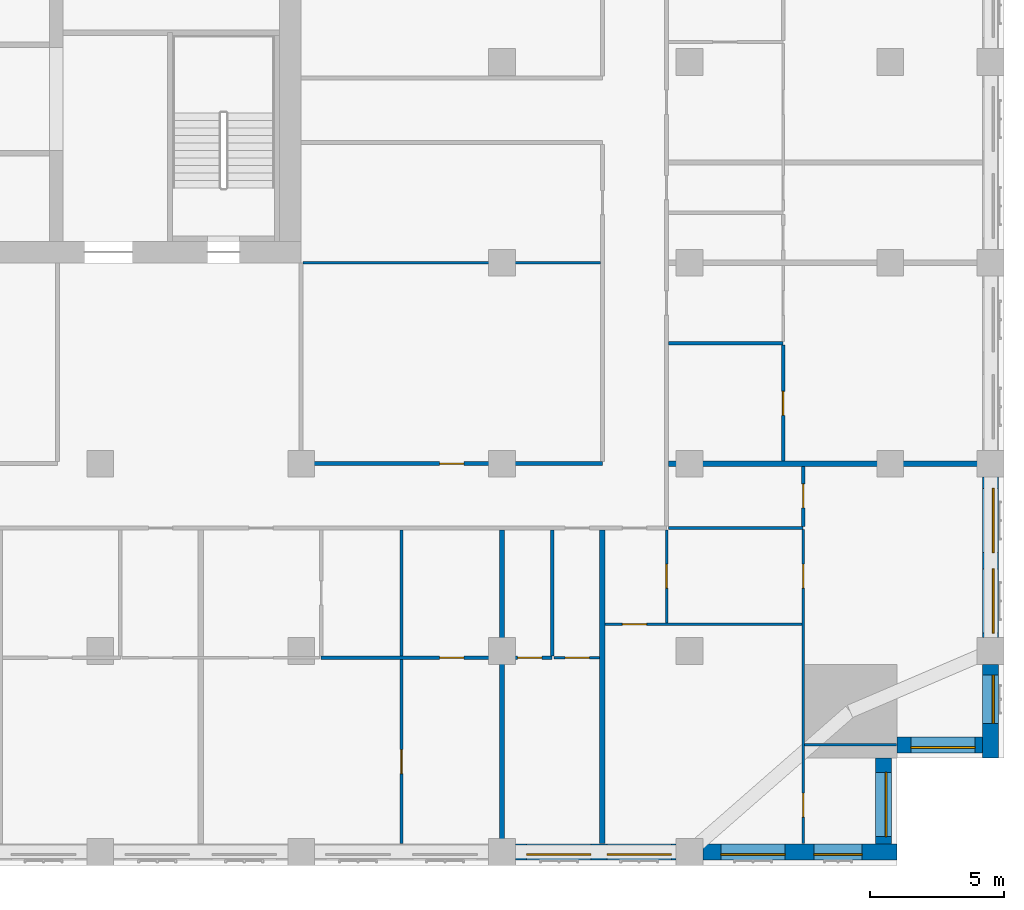
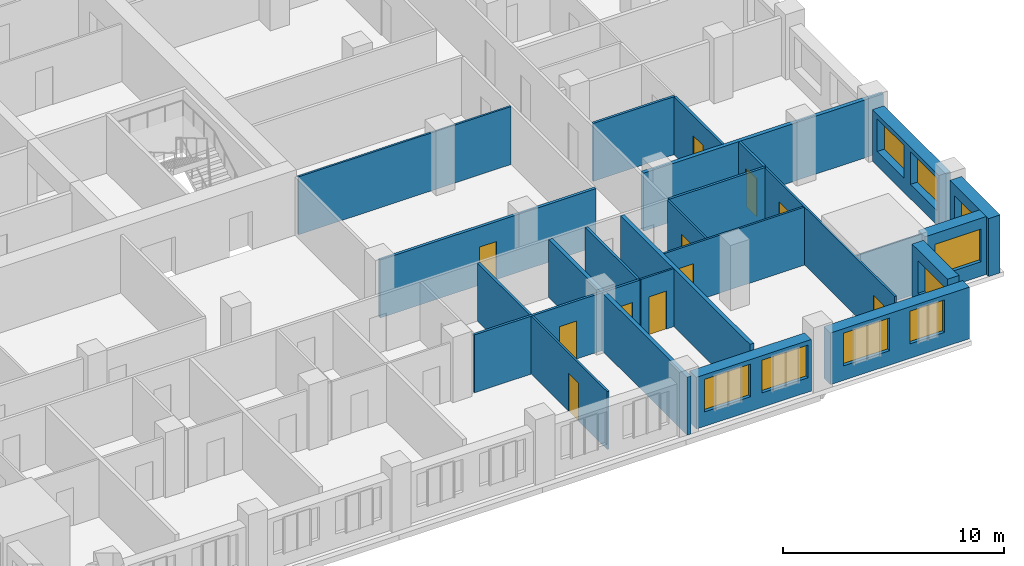
# One storey, part 6 of 14: 24 walls, 11 doors, 9 windows, 20 openings.
"""IFC4 building model written with IfcOpenShell, lengths in metres."""

from ifc_helpers import new_model, si_unit, direction, frame, frame_2d, origin, place, context, subcontext, project, spatial, rectangle, extrude, material, layer, layer_set, type_object, element, fill, save


model = new_model("IFC4")

# Units and contexts
model_context = context("Model", 3, precision=1e-05, world=origin(), true_north=direction((0.0, 1.0)))
body_context = subcontext(model_context, "Body", "Model", "MODEL_VIEW")
ifc_project = project(units=[si_unit("LENGTHUNIT", "METRE"), si_unit("AREAUNIT", "SQUARE_METRE"), si_unit("VOLUMEUNIT", "CUBIC_METRE"), si_unit("PLANEANGLEUNIT", "RADIAN"), si_unit("MASSUNIT", "GRAM", prefix="KILO")], contexts=[model_context])

# Site, building, storey
site_placement = place(None, origin())
site = spatial("IfcSite", under=ifc_project, at=site_placement, CompositionType="ELEMENT")
building_placement = place(site_placement, origin())
building = spatial("IfcBuilding", under=site, at=building_placement, Name="Tamorin Gate", CompositionType="ELEMENT")
storey_placement = place(building_placement, frame((0.0, 0.0, 162.60009765625)))
storey = spatial("IfcBuildingStorey", under=building, at=storey_placement, Name="L40", CompositionType="ELEMENT", Elevation=162.60009765625)

# Wall, openings, windows
ifc_material_1 = material(Name="Precast concrete C40/50", Category="concrete")
ifc_layer_1 = layer(ifc_material_1, 0.60009765625)
ifc_layer_set_1 = layer_set([ifc_layer_1], Name="Precast concrete C40/50")
wall_type_1 = type_object("IfcWallType", Name="Board-marked concrete facade panel 600", PredefinedType="SOLIDWALL", material=ifc_layer_set_1)
wall_1_placement = place(storey_placement, frame((68.0, 38.0, 0.0), z_axis=(0.0, 0.0, 1.0), x_axis=(1.0, 0.0, 0.0)))
wall_1 = element("IfcWall", 1, at=wall_1_placement, inside=storey, type_object=wall_type_1, Name="Facade panel", PredefinedType="SOLIDWALL", context=body_context, shape_type="SweptSolid", body=[
    extrude(rectangle(XDim=6.0, YDim=0.60009765625, at=frame_2d((3.0, 0.0))), origin(), (0.0, 0.0, 1.0), 2.849853515625),
])
opening_1_placement = place(wall_1_placement, frame((0.425048828125, 0.0, 0.800048828125)))
opening_1 = element("IfcOpeningElement", 2, at=opening_1_placement, cuts=wall_1, Name="Opening WN1", PredefinedType="OPENING", context=body_context, shape_type="SweptSolid", body=[
    extrude(rectangle(XDim=2.39990234375, YDim=1.800048828125, at=frame_2d((1.199951171875, 0.89990234375))), frame((0.0, 0.31005859375, 0.0), z_axis=(0.0, -1.0, 0.0), x_axis=(1.0, 0.0, 0.0)), (0.0, 0.0, 1.0), 0.6201171875),
])
opening_2_placement = place(wall_1_placement, frame((3.425048828125, 0.0, 0.800048828125)))
opening_2 = element("IfcOpeningElement", 3, at=opening_2_placement, cuts=wall_1, Name="Opening WN1", PredefinedType="OPENING", context=body_context, shape_type="SweptSolid", body=[
    extrude(rectangle(XDim=2.39990234375, YDim=1.800048828125, at=frame_2d((1.199951171875, 0.89990234375))), frame((0.0, 0.31005859375, 0.0), z_axis=(0.0, -1.0, 0.0), x_axis=(1.0, 0.0, 0.0)), (0.0, 0.0, 1.0), 0.6201171875),
])
ifc_material_2 = material(Name="Clear glass in aluminium frame", Category="aluminium")
window_type_1 = type_object("IfcWindowType", Name="Deep-set window 2400x1800", PartitioningType="SINGLE_PANEL", PredefinedType="WINDOW", material=ifc_material_2)
window_1_placement = place(opening_1_placement, origin())
window_1 = element("IfcWindow", 4, at=window_1_placement, inside=storey, type_object=window_type_1, Name="Deep-set window", OverallHeight=1.800048828125, OverallWidth=2.39990234375, PartitioningType="SINGLE_PANEL", PredefinedType="WINDOW", context=body_context, shape_type="SweptSolid", body=[
    extrude(rectangle(XDim=2.39990234375, YDim=1.800048828125, at=frame_2d((1.199951171875, 0.89990234375))), frame((0.0, -0.070068359375, 0.0), z_axis=(0.0, -1.0, 0.0), x_axis=(1.0, 0.0, 0.0)), (0.0, 0.0, 1.0), 0.06005859375),
])
fill(opening_1, window_1)
window_2_placement = place(opening_2_placement, origin())
window_2 = element("IfcWindow", 5, at=window_2_placement, inside=storey, type_object=window_type_1, Name="Deep-set window", OverallHeight=1.800048828125, OverallWidth=2.39990234375, PartitioningType="SINGLE_PANEL", PredefinedType="WINDOW", context=body_context, shape_type="SweptSolid", body=[
    extrude(rectangle(XDim=2.39990234375, YDim=1.800048828125, at=frame_2d((1.199951171875, 0.89990234375))), frame((0.0, -0.070068359375, 0.0), z_axis=(0.0, -1.0, 0.0), x_axis=(1.0, 0.0, 0.0)), (0.0, 0.0, 1.0), 0.06005859375),
])
fill(opening_2, window_2)

wall_2_placement = place(storey_placement, frame((75.0, 38.0, 0.0), z_axis=(0.0, 0.0, 1.0), x_axis=(1.0, 0.0, 0.0)))
wall_2 = element("IfcWall", 6, at=wall_2_placement, inside=storey, type_object=wall_type_1, Name="Facade panel", PredefinedType="SOLIDWALL", context=body_context, shape_type="SweptSolid", body=[
    extrude(rectangle(XDim=7.25, YDim=0.60009765625, at=frame_2d((3.625, 0.0))), origin(), (0.0, 0.0, 1.0), 2.849853515625),
])
opening_3_placement = place(wall_2_placement, frame((0.675048828125, 0.0, 0.800048828125)))
opening_3 = element("IfcOpeningElement", 7, at=opening_3_placement, cuts=wall_2, Name="Opening WN1", PredefinedType="OPENING", context=body_context, shape_type="SweptSolid", body=[
    extrude(rectangle(XDim=2.39990234375, YDim=1.800048828125, at=frame_2d((1.199951171875, 0.89990234375))), frame((0.0, 0.31005859375, 0.0), z_axis=(0.0, -1.0, 0.0), x_axis=(1.0, 0.0, 0.0)), (0.0, 0.0, 1.0), 0.6201171875),
])
opening_4_placement = place(wall_2_placement, frame((4.14990234375, 0.0, 0.800048828125)))
opening_4 = element("IfcOpeningElement", 8, at=opening_4_placement, cuts=wall_2, Name="Opening WN2", PredefinedType="OPENING", context=body_context, shape_type="SweptSolid", body=[
    extrude(rectangle(XDim=1.800048828125, YDim=1.800048828125, at=frame_2d((0.89990234375, 0.89990234375))), frame((0.0, 0.31005859375, 0.0), z_axis=(0.0, -1.0, 0.0), x_axis=(1.0, 0.0, 0.0)), (0.0, 0.0, 1.0), 0.6201171875),
])
window_type_2 = type_object("IfcWindowType", Name="Deep-set window 1800x1800", PartitioningType="SINGLE_PANEL", PredefinedType="WINDOW", material=ifc_material_2)
window_3_placement = place(opening_4_placement, origin())
window_3 = element("IfcWindow", 9, at=window_3_placement, inside=storey, type_object=window_type_2, Name="Deep-set window", OverallHeight=1.800048828125, OverallWidth=1.800048828125, PartitioningType="SINGLE_PANEL", PredefinedType="WINDOW", context=body_context, shape_type="SweptSolid", body=[
    extrude(rectangle(XDim=1.800048828125, YDim=1.800048828125, at=frame_2d((0.89990234375, 0.89990234375))), frame((0.0, -0.070068359375, 0.0), z_axis=(0.0, -1.0, 0.0), x_axis=(1.0, 0.0, 0.0)), (0.0, 0.0, 1.0), 0.06005859375),
])
fill(opening_4, window_3)
window_4_placement = place(opening_3_placement, origin())
window_4 = element("IfcWindow", 10, at=window_4_placement, inside=storey, type_object=window_type_1, Name="Deep-set window", OverallHeight=1.800048828125, OverallWidth=2.39990234375, PartitioningType="SINGLE_PANEL", PredefinedType="WINDOW", context=body_context, shape_type="SweptSolid", body=[
    extrude(rectangle(XDim=2.39990234375, YDim=1.800048828125, at=frame_2d((1.199951171875, 0.89990234375))), frame((0.0, -0.070068359375, 0.0), z_axis=(0.0, -1.0, 0.0), x_axis=(1.0, 0.0, 0.0)), (0.0, 0.0, 1.0), 0.06005859375),
])
fill(opening_3, window_4)

# Wall, opening, window
wall_3_placement = place(storey_placement, frame((81.75, 38.300048828125, 0.0), z_axis=(0.0, 0.0, 1.0), x_axis=(0.0, 1.0, 0.0)))
wall_3 = element("IfcWall", 11, at=wall_3_placement, inside=storey, type_object=wall_type_1, Name="Facade panel", PredefinedType="SOLIDWALL", context=body_context, shape_type="SweptSolid", body=[
    extrude(rectangle(XDim=3.199951171875, YDim=0.60009765625, at=frame_2d((1.60009765625, 0.0))), origin(), (0.0, 0.0, 1.0), 3.199951171875),
])
opening_5_placement = place(wall_3_placement, frame((0.27490234375, 0.0, 0.800048828125)))
opening_5 = element("IfcOpeningElement", 12, at=opening_5_placement, cuts=wall_3, Name="Opening WN1", PredefinedType="OPENING", context=body_context, shape_type="SweptSolid", body=[
    extrude(rectangle(XDim=2.39990234375, YDim=1.800048828125, at=frame_2d((1.199951171875, 0.89990234375))), frame((0.0, 0.31005859375, 0.0), z_axis=(0.0, -1.0, 0.0), x_axis=(1.0, 0.0, 0.0)), (0.0, 0.0, 1.0), 0.6201171875),
])
window_5_placement = place(opening_5_placement, origin())
window_5 = element("IfcWindow", 13, at=window_5_placement, inside=storey, type_object=window_type_1, Name="Deep-set window", OverallHeight=1.800048828125, OverallWidth=2.39990234375, PartitioningType="SINGLE_PANEL", PredefinedType="WINDOW", context=body_context, shape_type="SweptSolid", body=[
    extrude(rectangle(XDim=2.39990234375, YDim=1.800048828125, at=frame_2d((1.199951171875, 0.89990234375))), frame((0.0, -0.070068359375, 0.0), z_axis=(0.0, -1.0, 0.0), x_axis=(1.0, 0.0, 0.0)), (0.0, 0.0, 1.0), 0.06005859375),
])
fill(opening_5, window_5)

wall_4_placement = place(storey_placement, frame((82.25, 42.0, 0.0), z_axis=(0.0, 0.0, 1.0), x_axis=(1.0, 0.0, 0.0)))
wall_4 = element("IfcWall", 14, at=wall_4_placement, inside=storey, type_object=wall_type_1, Name="Facade panel", PredefinedType="SOLIDWALL", context=body_context, shape_type="SweptSolid", body=[
    extrude(rectangle(XDim=3.199951171875, YDim=0.60009765625, at=frame_2d((1.60009765625, 0.0))), origin(), (0.0, 0.0, 1.0), 3.199951171875),
])
opening_6_placement = place(wall_4_placement, frame((0.52490234375, 0.0, 0.800048828125)))
opening_6 = element("IfcOpeningElement", 15, at=opening_6_placement, cuts=wall_4, Name="Opening WN1", PredefinedType="OPENING", context=body_context, shape_type="SweptSolid", body=[
    extrude(rectangle(XDim=2.39990234375, YDim=1.800048828125, at=frame_2d((1.199951171875, 0.89990234375))), frame((0.0, 0.31005859375, 0.0), z_axis=(0.0, -1.0, 0.0), x_axis=(1.0, 0.0, 0.0)), (0.0, 0.0, 1.0), 0.6201171875),
])
window_6_placement = place(opening_6_placement, origin())
window_6 = element("IfcWindow", 16, at=window_6_placement, inside=storey, type_object=window_type_1, Name="Deep-set window", OverallHeight=1.800048828125, OverallWidth=2.39990234375, PartitioningType="SINGLE_PANEL", PredefinedType="WINDOW", context=body_context, shape_type="SweptSolid", body=[
    extrude(rectangle(XDim=2.39990234375, YDim=1.800048828125, at=frame_2d((1.199951171875, 0.89990234375))), frame((0.0, -0.070068359375, 0.0), z_axis=(0.0, -1.0, 0.0), x_axis=(1.0, 0.0, 0.0)), (0.0, 0.0, 1.0), 0.06005859375),
])
fill(opening_6, window_6)

wall_5_placement = place(storey_placement, frame((85.75, 41.5, 0.0), z_axis=(0.0, 0.0, 1.0), x_axis=(0.0, 1.0, 0.0)))
wall_5 = element("IfcWall", 17, at=wall_5_placement, inside=storey, type_object=wall_type_1, Name="Facade panel", PredefinedType="SOLIDWALL", context=body_context, shape_type="SweptSolid", body=[
    extrude(rectangle(XDim=3.5, YDim=0.60009765625, at=frame_2d((1.75, 0.0))), origin(), (0.0, 0.0, 1.0), 3.199951171875),
])
opening_7_placement = place(wall_5_placement, frame((1.300048828125, 0.0, 0.800048828125)))
opening_7 = element("IfcOpeningElement", 18, at=opening_7_placement, cuts=wall_5, Name="Opening WN2", PredefinedType="OPENING", context=body_context, shape_type="SweptSolid", body=[
    extrude(rectangle(XDim=1.800048828125, YDim=1.800048828125, at=frame_2d((0.89990234375, 0.89990234375))), frame((0.0, 0.31005859375, 0.0), z_axis=(0.0, -1.0, 0.0), x_axis=(1.0, 0.0, 0.0)), (0.0, 0.0, 1.0), 0.6201171875),
])
window_7_placement = place(opening_7_placement, origin())
window_7 = element("IfcWindow", 19, at=window_7_placement, inside=storey, type_object=window_type_2, Name="Deep-set window", OverallHeight=1.800048828125, OverallWidth=1.800048828125, PartitioningType="SINGLE_PANEL", PredefinedType="WINDOW", context=body_context, shape_type="SweptSolid", body=[
    extrude(rectangle(XDim=1.800048828125, YDim=1.800048828125, at=frame_2d((0.89990234375, 0.89990234375))), frame((0.0, -0.070068359375, 0.0), z_axis=(0.0, -1.0, 0.0), x_axis=(1.0, 0.0, 0.0)), (0.0, 0.0, 1.0), 0.06005859375),
])
fill(opening_7, window_7)

# Wall, openings, windows
wall_6_placement = place(storey_placement, frame((85.75, 46.0, 0.0), z_axis=(0.0, 0.0, 1.0), x_axis=(0.0, 1.0, 0.0)))
wall_6 = element("IfcWall", 20, at=wall_6_placement, inside=storey, type_object=wall_type_1, Name="Facade panel", PredefinedType="SOLIDWALL", context=body_context, shape_type="SweptSolid", body=[
    extrude(rectangle(XDim=6.0, YDim=0.60009765625, at=frame_2d((3.0, 0.0))), origin(), (0.0, 0.0, 1.0), 2.849853515625),
])
opening_8_placement = place(wall_6_placement, frame((0.175048828125, 0.0, 0.800048828125)))
opening_8 = element("IfcOpeningElement", 21, at=opening_8_placement, cuts=wall_6, Name="Opening WN1", PredefinedType="OPENING", context=body_context, shape_type="SweptSolid", body=[
    extrude(rectangle(XDim=2.39990234375, YDim=1.800048828125, at=frame_2d((1.199951171875, 0.89990234375))), frame((0.0, 0.31005859375, 0.0), z_axis=(0.0, -1.0, 0.0), x_axis=(1.0, 0.0, 0.0)), (0.0, 0.0, 1.0), 0.6201171875),
])
opening_9_placement = place(wall_6_placement, frame((3.175048828125, 0.0, 0.800048828125)))
opening_9 = element("IfcOpeningElement", 22, at=opening_9_placement, cuts=wall_6, Name="Opening WN1", PredefinedType="OPENING", context=body_context, shape_type="SweptSolid", body=[
    extrude(rectangle(XDim=2.39990234375, YDim=1.800048828125, at=frame_2d((1.199951171875, 0.89990234375))), frame((0.0, 0.31005859375, 0.0), z_axis=(0.0, -1.0, 0.0), x_axis=(1.0, 0.0, 0.0)), (0.0, 0.0, 1.0), 0.6201171875),
])
window_8_placement = place(opening_8_placement, origin())
window_8 = element("IfcWindow", 23, at=window_8_placement, inside=storey, type_object=window_type_1, Name="Deep-set window", OverallHeight=1.800048828125, OverallWidth=2.39990234375, PartitioningType="SINGLE_PANEL", PredefinedType="WINDOW", context=body_context, shape_type="SweptSolid", body=[
    extrude(rectangle(XDim=2.39990234375, YDim=1.800048828125, at=frame_2d((1.199951171875, 0.89990234375))), frame((0.0, -0.070068359375, 0.0), z_axis=(0.0, -1.0, 0.0), x_axis=(1.0, 0.0, 0.0)), (0.0, 0.0, 1.0), 0.06005859375),
])
fill(opening_8, window_8)
window_9_placement = place(opening_9_placement, origin())
window_9 = element("IfcWindow", 24, at=window_9_placement, inside=storey, type_object=window_type_1, Name="Deep-set window", OverallHeight=1.800048828125, OverallWidth=2.39990234375, PartitioningType="SINGLE_PANEL", PredefinedType="WINDOW", context=body_context, shape_type="SweptSolid", body=[
    extrude(rectangle(XDim=2.39990234375, YDim=1.800048828125, at=frame_2d((1.199951171875, 0.89990234375))), frame((0.0, -0.070068359375, 0.0), z_axis=(0.0, -1.0, 0.0), x_axis=(1.0, 0.0, 0.0)), (0.0, 0.0, 1.0), 0.06005859375),
])
fill(opening_9, window_9)

# Wall, opening, door
ifc_material_3 = material(Name="Gypsum board partition")
ifc_layer_2 = layer(ifc_material_3, 0.14990234375)
ifc_layer_set_2 = layer_set([ifc_layer_2], Name="Corridor wall 150")
wall_type_2 = type_object("IfcWallType", Name="Corridor wall 150", PredefinedType="PARTITIONING", material=ifc_layer_set_2)
wall_7_placement = place(storey_placement, frame((60.0, 52.5, 0.0), z_axis=(0.0, 0.0, 1.0), x_axis=(1.0, 0.0, 0.0)))
wall_7 = element("IfcWall", 25, at=wall_7_placement, inside=storey, type_object=wall_type_2, Name="Corridor wall 150", PredefinedType="PARTITIONING", context=body_context, shape_type="SweptSolid", body=[
    extrude(rectangle(XDim=11.25, YDim=0.14990234375, at=frame_2d((5.625, 0.0))), origin(), (0.0, 0.0, 1.0), 3.199951171875),
])
opening_10_placement = place(wall_7_placement, frame((5.175048828125, 0.0, 0.0)))
opening_10 = element("IfcOpeningElement", 26, at=opening_10_placement, cuts=wall_7, Name="Opening DS2069", PredefinedType="OPENING", context=body_context, shape_type="SweptSolid", body=[
    extrude(rectangle(XDim=0.89990234375, YDim=2.10009765625, at=frame_2d((0.449951171875, 1.050048828125))), frame((0.0, 0.0849609375, 0.0), z_axis=(0.0, -1.0, 0.0), x_axis=(1.0, 0.0, 0.0)), (0.0, 0.0, 1.0), 0.169921875),
])
ifc_material_4 = material(Name="Timber door leaf", Category="wood")
door_type_1 = type_object("IfcDoorType", Name="Door 900 x 2100 FD30S", OperationType="NOTDEFINED", PredefinedType="DOOR", material=ifc_material_4)
door_1_placement = place(opening_10_placement, origin())
door_1 = element("IfcDoor", 27, at=door_1_placement, inside=storey, type_object=door_type_1, Name="Door DS2069", OperationType="SINGLE_SWING_LEFT", OverallHeight=2.10009765625, OverallWidth=0.89990234375, PredefinedType="DOOR", context=body_context, shape_type="SweptSolid", body=[
    extrude(rectangle(XDim=0.89990234375, YDim=2.10009765625, at=frame_2d((0.449951171875, 1.050048828125))), frame((0.0, 0.02490234375, 0.0), z_axis=(0.0, -1.0, 0.0), x_axis=(1.0, 0.0, 0.0)), (0.0, 0.0, 1.0), 0.050048828125),
])
fill(opening_10, door_1)

# Walls
ifc_layer_3 = layer(ifc_material_3, 0.199951171875)
ifc_layer_set_3 = layer_set([ifc_layer_3], Name="Demising wall 200")
wall_type_3 = type_object("IfcWallType", Name="Demising wall 200", PredefinedType="PARTITIONING", material=ifc_layer_set_3)
for number, where, z_axis, x_axis, name in (
    (28, (73.72509765625, 52.5, 0.0), (0.0, 0.0, 1.0), (1.0, 0.0, 0.0), "Demising wall 200"),
    (29, (67.5, 37.5, 0.0), (0.0, 0.0, 1.0), (0.0, 1.0, 0.0), "Demising wall 200"),
):
    element("IfcWall", number, at=place(storey_placement, frame(where, z_axis=z_axis, x_axis=x_axis)), inside=storey, type_object=wall_type_3, Name=name, PredefinedType="PARTITIONING", context=body_context, shape_type="SweptSolid", body=[
        extrude(rectangle(XDim=12.52490234375, YDim=0.199951171875, at=frame_2d((6.262451171875, 0.0))), origin(), (0.0, 0.0, 1.0), 3.199951171875),
    ])
wall_8_placement = place(storey_placement, frame((71.25, 38.31005859375, 0.0), z_axis=(0.0, 0.0, 1.0), x_axis=(0.0, 1.0, 0.0)))
element("IfcWall", 30, at=wall_8_placement, inside=storey, type_object=wall_type_3, Name="Demising wall 200", PredefinedType="PARTITIONING", context=body_context, shape_type="SweptSolid", body=[
    extrude(rectangle(XDim=11.71484375, YDim=0.199951171875, at=frame_2d((5.857421875, 0.0))), origin(), (0.0, 0.0, 1.0), 3.199951171875),
])
ifc_layer_4 = layer(ifc_material_3, 0.10009765625)
ifc_layer_set_4 = layer_set([ifc_layer_4], Name="Room partition 100")
wall_type_4 = type_object("IfcWallType", Name="Room partition 100", PredefinedType="PARTITIONING", material=ifc_layer_set_4)
wall_9_placement = place(storey_placement, frame((78.800048828125, 42.0, 0.0), z_axis=(0.0, 0.0, 1.0), x_axis=(1.0, 0.0, 0.0)))
element("IfcWall", 31, at=wall_9_placement, inside=storey, type_object=wall_type_4, Name="Room partition 100", PredefinedType="PARTITIONING", context=body_context, shape_type="SweptSolid", body=[
    extrude(rectangle(XDim=3.43994140625, YDim=0.10009765625, at=frame_2d((1.719970703125, 0.0))), origin(), (0.0, 0.0, 1.0), 3.199951171875),
])

# Wall, opening, door
wall_10_placement = place(storey_placement, frame((69.4375, 45.25, 0.0), z_axis=(0.0, 0.0, 1.0), x_axis=(1.0, 0.0, 0.0)))
wall_10 = element("IfcWall", 32, at=wall_10_placement, inside=storey, type_object=wall_type_4, Name="Room partition 100", PredefinedType="PARTITIONING", context=body_context, shape_type="SweptSolid", body=[
    extrude(rectangle(XDim=1.71240234375, YDim=0.10009765625, at=frame_2d((0.856201171875, 0.0))), origin(), (0.0, 0.0, 1.0), 3.199951171875),
])
opening_11_placement = place(wall_10_placement, frame((0.425048828125, 0.0, 0.0)))
opening_11 = element("IfcOpeningElement", 33, at=opening_11_placement, cuts=wall_10, Name="Opening DS2018", PredefinedType="OPENING", context=body_context, shape_type="SweptSolid", body=[
    extrude(rectangle(XDim=0.89990234375, YDim=2.10009765625, at=frame_2d((0.449951171875, 1.050048828125))), frame((0.0, 0.06005859375, 0.0), z_axis=(0.0, -1.0, 0.0), x_axis=(1.0, 0.0, 0.0)), (0.0, 0.0, 1.0), 0.1201171875),
])
door_type_2 = type_object("IfcDoorType", Name="Door 900 x 2100", OperationType="NOTDEFINED", PredefinedType="DOOR", material=ifc_material_4)
door_2_placement = place(opening_11_placement, origin())
door_2 = element("IfcDoor", 34, at=door_2_placement, inside=storey, type_object=door_type_2, Name="Door DS2018", OperationType="SINGLE_SWING_LEFT", OverallHeight=2.10009765625, OverallWidth=0.89990234375, PredefinedType="DOOR", context=body_context, shape_type="SweptSolid", body=[
    extrude(rectangle(XDim=0.89990234375, YDim=2.10009765625, at=frame_2d((0.449951171875, 1.050048828125))), frame((0.0, 0.02490234375, 0.0), z_axis=(0.0, -1.0, 0.0), x_axis=(1.0, 0.0, 0.0)), (0.0, 0.0, 1.0), 0.050048828125),
])
fill(opening_11, door_2)

wall_11_placement = place(storey_placement, frame((71.35009765625, 46.5, 0.0), z_axis=(0.0, 0.0, 1.0), x_axis=(1.0, 0.0, 0.0)))
wall_11 = element("IfcWall", 35, at=wall_11_placement, inside=storey, type_object=wall_type_4, Name="Room partition 100", PredefinedType="PARTITIONING", context=body_context, shape_type="SweptSolid", body=[
    extrude(rectangle(XDim=7.349853515625, YDim=0.10009765625, at=frame_2d((3.6748046875, 0.0))), origin(), (0.0, 0.0, 1.0), 3.199951171875),
])
opening_12_placement = place(wall_11_placement, frame((0.64990234375, 0.0, 0.0)))
opening_12 = element("IfcOpeningElement", 36, at=opening_12_placement, cuts=wall_11, Name="Opening DS2055", PredefinedType="OPENING", context=body_context, shape_type="SweptSolid", body=[
    extrude(rectangle(XDim=0.89990234375, YDim=2.10009765625, at=frame_2d((0.449951171875, 1.050048828125))), frame((0.0, 0.06005859375, 0.0), z_axis=(0.0, -1.0, 0.0), x_axis=(1.0, 0.0, 0.0)), (0.0, 0.0, 1.0), 0.1201171875),
])
door_3_placement = place(opening_12_placement, origin())
door_3 = element("IfcDoor", 37, at=door_3_placement, inside=storey, type_object=door_type_2, Name="Door DS2055", OperationType="SINGLE_SWING_RIGHT", OverallHeight=2.10009765625, OverallWidth=0.89990234375, PredefinedType="DOOR", context=body_context, shape_type="SweptSolid", body=[
    extrude(rectangle(XDim=0.89990234375, YDim=2.10009765625, at=frame_2d((0.449951171875, 1.050048828125))), frame((0.0, 0.02490234375, 0.0), z_axis=(0.0, -1.0, 0.0), x_axis=(1.0, 0.0, 0.0)), (0.0, 0.0, 1.0), 0.050048828125),
])
fill(opening_12, door_3)

# Wall
wall_12_placement = place(storey_placement, frame((60.074951171875, 60.0, 0.0), z_axis=(0.0, 0.0, 1.0), x_axis=(1.0, 0.0, 0.0)))
element("IfcWall", 38, at=wall_12_placement, inside=storey, type_object=wall_type_4, Name="Room partition 100", PredefinedType="PARTITIONING", context=body_context, shape_type="SweptSolid", body=[
    extrude(rectangle(XDim=11.10009765625, YDim=0.10009765625, at=frame_2d((5.550048828125, 0.0))), origin(), (0.0, 0.0, 1.0), 3.199951171875),
])

# Wall, opening, door
wall_13_placement = place(storey_placement, frame((63.75, 38.31005859375, 0.0), z_axis=(0.0, 0.0, 1.0), x_axis=(0.0, 1.0, 0.0)))
wall_13 = element("IfcWall", 39, at=wall_13_placement, inside=storey, type_object=wall_type_4, Name="Room partition 100", PredefinedType="PARTITIONING", context=body_context, shape_type="SweptSolid", body=[
    extrude(rectangle(XDim=6.87744140625, YDim=0.10009765625, at=frame_2d((3.438720703125, 0.0))), origin(), (0.0, 0.0, 1.0), 3.199951171875),
])
opening_13_placement = place(wall_13_placement, frame((2.614990234375, 0.0, 0.0)))
opening_13 = element("IfcOpeningElement", 40, at=opening_13_placement, cuts=wall_13, Name="Opening DS2015", PredefinedType="OPENING", context=body_context, shape_type="SweptSolid", body=[
    extrude(rectangle(XDim=0.89990234375, YDim=2.10009765625, at=frame_2d((0.449951171875, 1.050048828125))), frame((0.0, 0.06005859375, 0.0), z_axis=(0.0, -1.0, 0.0), x_axis=(1.0, 0.0, 0.0)), (0.0, 0.0, 1.0), 0.1201171875),
])
door_4_placement = place(opening_13_placement, origin())
door_4 = element("IfcDoor", 41, at=door_4_placement, inside=storey, type_object=door_type_2, Name="Door DS2015", OperationType="SINGLE_SWING_LEFT", OverallHeight=2.10009765625, OverallWidth=0.89990234375, PredefinedType="DOOR", context=body_context, shape_type="SweptSolid", body=[
    extrude(rectangle(XDim=0.89990234375, YDim=2.10009765625, at=frame_2d((0.449951171875, 1.050048828125))), frame((0.0, 0.02490234375, 0.0), z_axis=(0.0, -1.0, 0.0), x_axis=(1.0, 0.0, 0.0)), (0.0, 0.0, 1.0), 0.050048828125),
])
fill(opening_13, door_4)

wall_14_placement = place(storey_placement, frame((73.64990234375, 46.550048828125, 0.0), z_axis=(0.0, 0.0, 1.0), x_axis=(0.0, 1.0, 0.0)))
wall_14 = element("IfcWall", 42, at=wall_14_placement, inside=storey, type_object=wall_type_4, Name="Room partition 100", PredefinedType="PARTITIONING", context=body_context, shape_type="SweptSolid", body=[
    extrude(rectangle(XDim=3.474853515625, YDim=0.10009765625, at=frame_2d((1.7373046875, 0.0))), origin(), (0.0, 0.0, 1.0), 3.199951171875),
])
opening_14_placement = place(wall_14_placement, frame((1.300048828125, 0.0, 0.0)))
opening_14 = element("IfcOpeningElement", 43, at=opening_14_placement, cuts=wall_14, Name="Opening DS2056", PredefinedType="OPENING", context=body_context, shape_type="SweptSolid", body=[
    extrude(rectangle(XDim=0.89990234375, YDim=2.10009765625, at=frame_2d((0.449951171875, 1.050048828125))), frame((0.0, 0.06005859375, 0.0), z_axis=(0.0, -1.0, 0.0), x_axis=(1.0, 0.0, 0.0)), (0.0, 0.0, 1.0), 0.1201171875),
])
door_5_placement = place(opening_14_placement, origin())
door_5 = element("IfcDoor", 44, at=door_5_placement, inside=storey, type_object=door_type_2, Name="Door DS2056", OperationType="SINGLE_SWING_RIGHT", OverallHeight=2.10009765625, OverallWidth=0.89990234375, PredefinedType="DOOR", context=body_context, shape_type="SweptSolid", body=[
    extrude(rectangle(XDim=0.89990234375, YDim=2.10009765625, at=frame_2d((0.449951171875, 1.050048828125))), frame((0.0, 0.02490234375, 0.0), z_axis=(0.0, -1.0, 0.0), x_axis=(1.0, 0.0, 0.0)), (0.0, 0.0, 1.0), 0.050048828125),
])
fill(opening_14, door_5)

# Wall, openings, doors
wall_15_placement = place(storey_placement, frame((78.75, 38.31005859375, 0.0), z_axis=(0.0, 0.0, 1.0), x_axis=(0.0, 1.0, 0.0)))
wall_15 = element("IfcWall", 45, at=wall_15_placement, inside=storey, type_object=wall_type_4, Name="Room partition 100", PredefinedType="PARTITIONING", context=body_context, shape_type="SweptSolid", body=[
    extrude(rectangle(XDim=11.7275390625, YDim=0.10009765625, at=frame_2d((5.86376953125, 0.0))), origin(), (0.0, 0.0, 1.0), 3.199951171875),
])
opening_15_placement = place(wall_15_placement, frame((0.989990234375, 0.0, 0.0)))
opening_15 = element("IfcOpeningElement", 46, at=opening_15_placement, cuts=wall_15, Name="Opening DS2057", PredefinedType="OPENING", context=body_context, shape_type="SweptSolid", body=[
    extrude(rectangle(XDim=0.89990234375, YDim=2.10009765625, at=frame_2d((0.449951171875, 1.050048828125))), frame((0.0, 0.06005859375, 0.0), z_axis=(0.0, -1.0, 0.0), x_axis=(1.0, 0.0, 0.0)), (0.0, 0.0, 1.0), 0.1201171875),
])
opening_16_placement = place(wall_15_placement, frame((9.5400390625, 0.0, 0.0)))
opening_16 = element("IfcOpeningElement", 47, at=opening_16_placement, cuts=wall_15, Name="Opening DS2058", PredefinedType="OPENING", context=body_context, shape_type="SweptSolid", body=[
    extrude(rectangle(XDim=0.89990234375, YDim=2.10009765625, at=frame_2d((0.449951171875, 1.050048828125))), frame((0.0, 0.06005859375, 0.0), z_axis=(0.0, -1.0, 0.0), x_axis=(1.0, 0.0, 0.0)), (0.0, 0.0, 1.0), 0.1201171875),
])
door_6_placement = place(opening_15_placement, origin())
door_6 = element("IfcDoor", 48, at=door_6_placement, inside=storey, type_object=door_type_2, Name="Door DS2057", OperationType="SINGLE_SWING_LEFT", OverallHeight=2.10009765625, OverallWidth=0.89990234375, PredefinedType="DOOR", context=body_context, shape_type="SweptSolid", body=[
    extrude(rectangle(XDim=0.89990234375, YDim=2.10009765625, at=frame_2d((0.449951171875, 1.050048828125))), frame((0.0, 0.02490234375, 0.0), z_axis=(0.0, -1.0, 0.0), x_axis=(1.0, 0.0, 0.0)), (0.0, 0.0, 1.0), 0.050048828125),
])
fill(opening_15, door_6)
door_7_placement = place(opening_16_placement, origin())
door_7 = element("IfcDoor", 49, at=door_7_placement, inside=storey, type_object=door_type_2, Name="Door DS2058", OperationType="SINGLE_SWING_RIGHT", OverallHeight=2.10009765625, OverallWidth=0.89990234375, PredefinedType="DOOR", context=body_context, shape_type="SweptSolid", body=[
    extrude(rectangle(XDim=0.89990234375, YDim=2.10009765625, at=frame_2d((0.449951171875, 1.050048828125))), frame((0.0, 0.02490234375, 0.0), z_axis=(0.0, -1.0, 0.0), x_axis=(1.0, 0.0, 0.0)), (0.0, 0.0, 1.0), 0.050048828125),
])
fill(opening_16, door_7)

ifc_layer_5 = layer(ifc_material_3, 0.125)
ifc_layer_set_5 = layer_set([ifc_layer_5], Name="Wet wall 125")
wall_type_5 = type_object("IfcWallType", Name="Wet wall 125", PredefinedType="PARTITIONING", material=ifc_layer_set_5)
wall_16_placement = place(storey_placement, frame((60.75, 45.25, 0.0), z_axis=(0.0, 0.0, 1.0), x_axis=(1.0, 0.0, 0.0)))
wall_16 = element("IfcWall", 50, at=wall_16_placement, inside=storey, type_object=wall_type_5, Name="Wet wall 125", PredefinedType="PARTITIONING", context=body_context, shape_type="SweptSolid", body=[
    extrude(rectangle(XDim=8.625, YDim=0.125, at=frame_2d((4.3125, 0.0))), origin(), (0.0, 0.0, 1.0), 3.199951171875),
])
opening_17_placement = place(wall_16_placement, frame((4.425048828125, 0.0, 0.0)))
opening_17 = element("IfcOpeningElement", 51, at=opening_17_placement, cuts=wall_16, Name="Opening DS2014", PredefinedType="OPENING", context=body_context, shape_type="SweptSolid", body=[
    extrude(rectangle(XDim=0.89990234375, YDim=2.10009765625, at=frame_2d((0.449951171875, 1.050048828125))), frame((0.0, 0.072509765625, 0.0), z_axis=(0.0, -1.0, 0.0), x_axis=(1.0, 0.0, 0.0)), (0.0, 0.0, 1.0), 0.14501953125),
])
opening_18_placement = place(wall_16_placement, frame((7.33740234375, 0.0, 0.0)))
opening_18 = element("IfcOpeningElement", 52, at=opening_18_placement, cuts=wall_16, Name="Opening DS2016", PredefinedType="OPENING", context=body_context, shape_type="SweptSolid", body=[
    extrude(rectangle(XDim=0.89990234375, YDim=2.10009765625, at=frame_2d((0.449951171875, 1.050048828125))), frame((0.0, 0.072509765625, 0.0), z_axis=(0.0, -1.0, 0.0), x_axis=(1.0, 0.0, 0.0)), (0.0, 0.0, 1.0), 0.14501953125),
])
door_8_placement = place(opening_17_placement, origin())
door_8 = element("IfcDoor", 53, at=door_8_placement, inside=storey, type_object=door_type_2, Name="Door DS2014", OperationType="SINGLE_SWING_LEFT", OverallHeight=2.10009765625, OverallWidth=0.89990234375, PredefinedType="DOOR", context=body_context, shape_type="SweptSolid", body=[
    extrude(rectangle(XDim=0.89990234375, YDim=2.10009765625, at=frame_2d((0.449951171875, 1.050048828125))), frame((0.0, 0.02490234375, 0.0), z_axis=(0.0, -1.0, 0.0), x_axis=(1.0, 0.0, 0.0)), (0.0, 0.0, 1.0), 0.050048828125),
])
fill(opening_17, door_8)
door_9_placement = place(opening_18_placement, origin())
door_9 = element("IfcDoor", 54, at=door_9_placement, inside=storey, type_object=door_type_2, Name="Door DS2016", OperationType="SINGLE_SWING_RIGHT", OverallHeight=2.10009765625, OverallWidth=0.89990234375, PredefinedType="DOOR", context=body_context, shape_type="SweptSolid", body=[
    extrude(rectangle(XDim=0.89990234375, YDim=2.10009765625, at=frame_2d((0.449951171875, 1.050048828125))), frame((0.0, 0.02490234375, 0.0), z_axis=(0.0, -1.0, 0.0), x_axis=(1.0, 0.0, 0.0)), (0.0, 0.0, 1.0), 0.050048828125),
])
fill(opening_18, door_9)

# Walls
wall_17_placement = place(storey_placement, frame((73.72509765625, 50.10009765625, 0.0), z_axis=(0.0, 0.0, 1.0), x_axis=(1.0, 0.0, 0.0)))
element("IfcWall", 55, at=wall_17_placement, inside=storey, type_object=wall_type_5, Name="Wet wall 125", PredefinedType="PARTITIONING", context=body_context, shape_type="SweptSolid", body=[
    extrude(rectangle(XDim=5.02490234375, YDim=0.125, at=frame_2d((2.512451171875, 0.0))), origin(), (0.0, 0.0, 1.0), 3.199951171875),
])
wall_18_placement = place(storey_placement, frame((73.72509765625, 57.0, 0.0), z_axis=(0.0, 0.0, 1.0), x_axis=(1.0, 0.0, 0.0)))
element("IfcWall", 56, at=wall_18_placement, inside=storey, type_object=wall_type_5, Name="Wet wall 125", PredefinedType="PARTITIONING", context=body_context, shape_type="SweptSolid", body=[
    extrude(rectangle(XDim=4.27490234375, YDim=0.125, at=frame_2d((2.137451171875, 0.0))), origin(), (0.0, 0.0, 1.0), 3.199951171875),
])
for number, where, z_axis, x_axis, name in (
    (57, (63.75, 45.3125, 0.0), (0.0, 0.0, 1.0), (0.0, 1.0, 0.0), "Wet wall 125"),
    (58, (69.375, 45.3125, 0.0), (0.0, 0.0, 1.0), (0.0, 1.0, 0.0), "Wet wall 125"),
):
    element("IfcWall", number, at=place(storey_placement, frame(where, z_axis=z_axis, x_axis=x_axis)), inside=storey, type_object=wall_type_5, Name=name, PredefinedType="PARTITIONING", context=body_context, shape_type="SweptSolid", body=[
        extrude(rectangle(XDim=4.71240234375, YDim=0.125, at=frame_2d((2.356201171875, 0.0))), origin(), (0.0, 0.0, 1.0), 3.199951171875),
    ])

# Wall, opening, door
wall_19_placement = place(storey_placement, frame((78.0, 52.60009765625, 0.0), z_axis=(0.0, 0.0, 1.0), x_axis=(0.0, 1.0, 0.0)))
wall_19 = element("IfcWall", 59, at=wall_19_placement, inside=storey, type_object=wall_type_5, Name="Wet wall 125", PredefinedType="PARTITIONING", context=body_context, shape_type="SweptSolid", body=[
    extrude(rectangle(XDim=4.33740234375, YDim=0.125, at=frame_2d((2.168701171875, 0.0))), origin(), (0.0, 0.0, 1.0), 3.199951171875),
])
opening_19_placement = place(wall_19_placement, frame((1.699951171875, 0.0, 0.0)))
opening_19 = element("IfcOpeningElement", 60, at=opening_19_placement, cuts=wall_19, Name="Opening DS2037", PredefinedType="OPENING", context=body_context, shape_type="SweptSolid", body=[
    extrude(rectangle(XDim=0.89990234375, YDim=2.10009765625, at=frame_2d((0.449951171875, 1.050048828125))), frame((0.0, 0.072509765625, 0.0), z_axis=(0.0, -1.0, 0.0), x_axis=(1.0, 0.0, 0.0)), (0.0, 0.0, 1.0), 0.14501953125),
])
door_10_placement = place(opening_19_placement, origin())
door_10 = element("IfcDoor", 61, at=door_10_placement, inside=storey, type_object=door_type_2, Name="Door DS2037", OperationType="SINGLE_SWING_LEFT", OverallHeight=2.10009765625, OverallWidth=0.89990234375, PredefinedType="DOOR", context=body_context, shape_type="SweptSolid", body=[
    extrude(rectangle(XDim=0.89990234375, YDim=2.10009765625, at=frame_2d((0.449951171875, 1.050048828125))), frame((0.0, 0.02490234375, 0.0), z_axis=(0.0, -1.0, 0.0), x_axis=(1.0, 0.0, 0.0)), (0.0, 0.0, 1.0), 0.050048828125),
])
fill(opening_19, door_10)

wall_20_placement = place(storey_placement, frame((78.75, 50.16259765625, 0.0), z_axis=(0.0, 0.0, 1.0), x_axis=(0.0, 1.0, 0.0)))
wall_20 = element("IfcWall", 62, at=wall_20_placement, inside=storey, type_object=wall_type_5, Name="Wet wall 125", PredefinedType="PARTITIONING", context=body_context, shape_type="SweptSolid", body=[
    extrude(rectangle(XDim=2.2373046875, YDim=0.125, at=frame_2d((1.11865234375, 0.0))), origin(), (0.0, 0.0, 1.0), 3.199951171875),
])
opening_20_placement = place(wall_20_placement, frame((0.6875, 0.0, 0.0)))
opening_20 = element("IfcOpeningElement", 63, at=opening_20_placement, cuts=wall_20, Name="Opening DS2059", PredefinedType="OPENING", context=body_context, shape_type="SweptSolid", body=[
    extrude(rectangle(XDim=0.89990234375, YDim=2.10009765625, at=frame_2d((0.449951171875, 1.050048828125))), frame((0.0, 0.072509765625, 0.0), z_axis=(0.0, -1.0, 0.0), x_axis=(1.0, 0.0, 0.0)), (0.0, 0.0, 1.0), 0.14501953125),
])
door_11_placement = place(opening_20_placement, origin())
door_11 = element("IfcDoor", 64, at=door_11_placement, inside=storey, type_object=door_type_2, Name="Door DS2059", OperationType="SINGLE_SWING_LEFT", OverallHeight=2.10009765625, OverallWidth=0.89990234375, PredefinedType="DOOR", context=body_context, shape_type="SweptSolid", body=[
    extrude(rectangle(XDim=0.89990234375, YDim=2.10009765625, at=frame_2d((0.449951171875, 1.050048828125))), frame((0.0, 0.02490234375, 0.0), z_axis=(0.0, -1.0, 0.0), x_axis=(1.0, 0.0, 0.0)), (0.0, 0.0, 1.0), 0.050048828125),
])
fill(opening_20, door_11)

save(model, "model.ifc")
